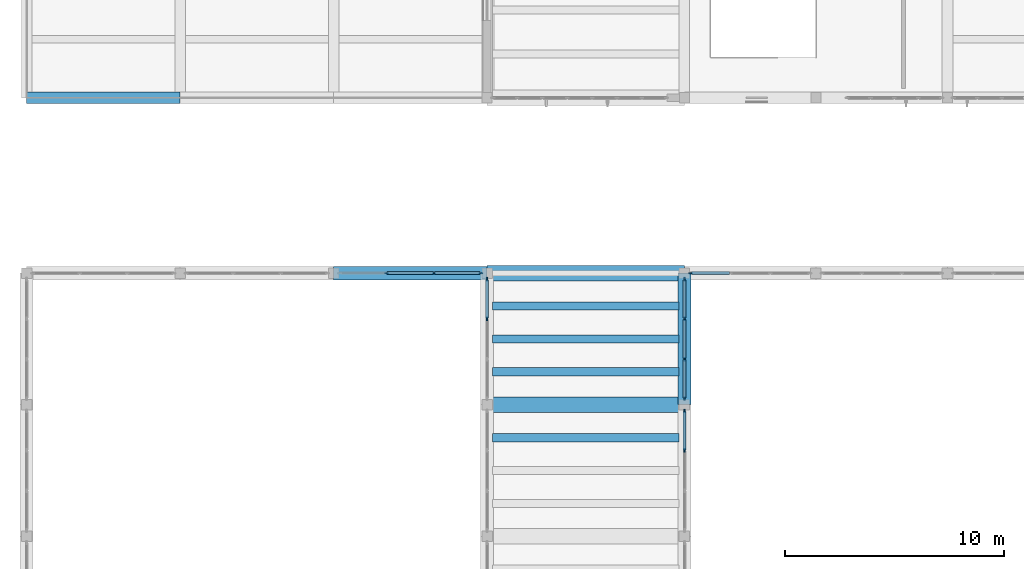
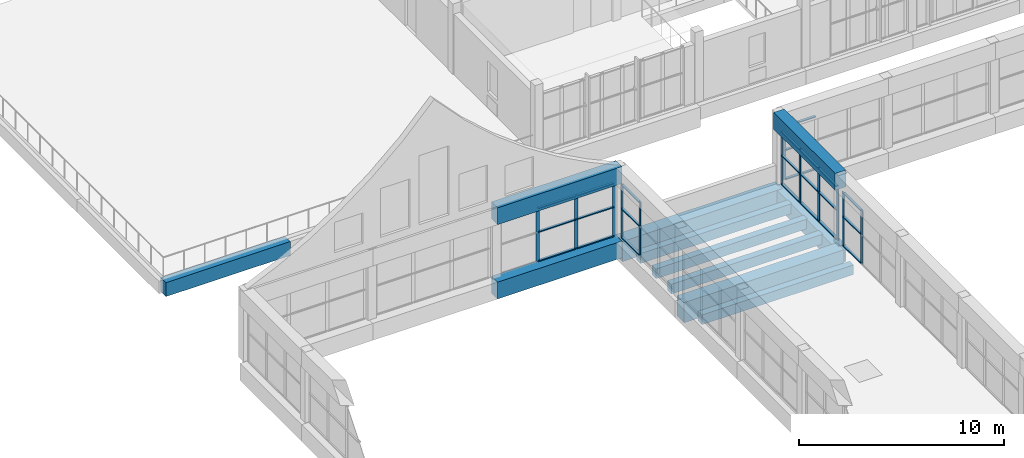
# One storey, part 23 of 70: 36 members, 11 beams, 5 elements without a shape of their own.
"""IFC4 building model written with IfcOpenShell, lengths in metres."""

import ifcopenshell
import ifcopenshell.guid

model = None  # the IFC model being written
_history = None  # IfcOwnerHistory: only IFC2X3 demands one
_inside = {}  # id of a spatial element -> (the spatial element, [elements in it])
_under = {}  # id of a project, library or spatial element -> (it, [spatial elements below it])
_declared = {}  # id of a project -> (the project, [libraries it declares])
_typed = {}  # id of a type object -> (the type object, [elements of that type])
_made_of = {}  # id of a material, layer set ... -> (it, [elements and type objects made of it])


def new_model(schema):
    """Start an empty IFC model of exactly this schema.

    Asked for "IFC4X3", IfcOpenShell would pick the latest addendum, in which some entities
    have other attributes; the version numbers below select the first issue.
    IFC2X3 requires an IfcOwnerHistory on every rooted entity: one is made here for all.
    """
    global model, _history
    if schema == "IFC4X3":
        model = ifcopenshell.file(schema_version=(4, 3, 0, 0))
    else:
        model = ifcopenshell.file(schema=schema)
    _inside.clear()
    _under.clear()
    _declared.clear()
    _typed.clear()
    _made_of.clear()
    _history = None
    if model.schema == "IFC2X3":
        org = make("IfcOrganization", Name="unknown")
        user = make(
            "IfcPersonAndOrganization",
            ThePerson=make("IfcPerson", FamilyName="unknown"),
            TheOrganization=org,
        )
        app = make(
            "IfcApplication",
            ApplicationDeveloper=org,
            Version="unknown",
            ApplicationFullName="unknown",
            ApplicationIdentifier="unknown",
        )
        _history = make(
            "IfcOwnerHistory",
            OwningUser=user,
            OwningApplication=app,
            ChangeAction="ADDED",
            CreationDate=0,
        )
    return model


def make(cls, **values):
    """One entity of the class cls with the attributes given. An attribute that is None is left unset."""
    return model.create_entity(
        cls, **{name: value for name, value in values.items() if value is not None}
    )


def rooted(cls, **values):
    """An entity with a GlobalId (a new one), such as an element, a storey or a relation."""
    return make(cls, GlobalId=ifcopenshell.guid.new(), OwnerHistory=_history, **values)


def si_unit(unit_type, name, prefix=None):
    """IfcSIUnit, for example si_unit("LENGTHUNIT", "METRE", prefix="MILLI")."""
    return make("IfcSIUnit", UnitType=unit_type, Prefix=prefix, Name=name)


def assignment(units):
    """IfcUnitAssignment: the units of a project."""
    return None if units is None else make("IfcUnitAssignment", Units=units)


def point(xyz):
    """IfcCartesianPoint."""
    return None if xyz is None else make("IfcCartesianPoint", Coordinates=xyz)


def direction(xyz):
    """IfcDirection."""
    return None if xyz is None else make("IfcDirection", DirectionRatios=xyz)


def frame(location, z_axis=None, x_axis=None):
    """IfcAxis2Placement3D, a coordinate frame: its origin and axes. An axis left out is left unset."""
    return make(
        "IfcAxis2Placement3D",
        Location=point(location),
        Axis=direction(z_axis),
        RefDirection=direction(x_axis),
    )


def frame_2d(location, x_axis=None):
    """IfcAxis2Placement2D, a coordinate frame in the plane: its origin and x axis."""
    return make(
        "IfcAxis2Placement2D", Location=point(location), RefDirection=direction(x_axis)
    )


def origin():
    """The frame at (0, 0, 0) with its axes left unset."""
    return frame((0.0, 0.0, 0.0))


def origin_2d():
    """The frame at (0, 0) in the plane with its x axis left unset."""
    return frame_2d((0.0, 0.0))


def place(relative_to, where):
    """IfcLocalPlacement: puts the frame where relative to a parent placement (None: the world)."""
    return make(
        "IfcLocalPlacement", PlacementRelTo=relative_to, RelativePlacement=where
    )


def context(
    kind, dimensions, precision=None, world=None, true_north=None, identifier=None
):
    """IfcGeometricRepresentationContext, for example the 3D "Model" context."""
    return make(
        "IfcGeometricRepresentationContext",
        ContextIdentifier=identifier,
        ContextType=kind,
        CoordinateSpaceDimension=dimensions,
        Precision=precision,
        WorldCoordinateSystem=world,
        TrueNorth=true_north,
    )


def subcontext(parent, identifier, kind, view, scale=None):
    """IfcGeometricRepresentationSubContext, for example "Body" below "Model"."""
    return make(
        "IfcGeometricRepresentationSubContext",
        ContextIdentifier=identifier,
        ContextType=kind,
        ParentContext=parent,
        TargetScale=scale,
        TargetView=view,
    )


def project(units=None, contexts=None):
    """IfcProject with its units and contexts."""
    return rooted(
        "IfcProject",
        Name="project",
        RepresentationContexts=contexts,
        UnitsInContext=assignment(units),
    )


def spatial(cls, under=None, at=None, **own):
    """A site, building, storey or space (cls), placed at a placement, below another one or the project."""
    s = rooted(cls, ObjectPlacement=at, **own)
    if under is not None:
        _under.setdefault(under.id(), (under, []))[1].append(s)
    return s


def profile(cls, at=None, kind="AREA", **sizes):
    """A parametric profile (cls). Its sizes go by their IFC names, for example OverallWidth=200.0."""
    return make(cls, ProfileType=kind, Position=at, **sizes)


def rectangle(**sizes):
    """IfcRectangleProfileDef."""
    return profile("IfcRectangleProfileDef", **sizes)


def extrude(swept, where, along, depth):
    """IfcExtrudedAreaSolid: the profile swept, set in the frame where, extruded along a direction by depth."""
    return make(
        "IfcExtrudedAreaSolid",
        SweptArea=swept,
        Position=where,
        ExtrudedDirection=direction(along),
        Depth=depth,
    )


def shape(context_of_items, identifier, shape_type, items):
    """IfcShapeRepresentation: the items that make up one representation, for example the "Body"."""
    return make(
        "IfcShapeRepresentation",
        ContextOfItems=context_of_items,
        RepresentationIdentifier=identifier,
        RepresentationType=shape_type,
        Items=items,
    )


def material(Name=None, Category=None):
    """IfcMaterial."""
    return make("IfcMaterial", Name=Name, Category=Category)


def layer(
    of_material, thickness, ventilated=None, Name=None, Category=None, Priority=None
):
    """IfcMaterialLayer: one layer of a wall or slab, of a material (None: an air gap)."""
    return make(
        "IfcMaterialLayer",
        Material=of_material,
        LayerThickness=thickness,
        IsVentilated=ventilated,
        Name=Name,
        Category=Category,
        Priority=Priority,
    )


def layer_set(layers, Name=None):
    """IfcMaterialLayerSet."""
    return make("IfcMaterialLayerSet", MaterialLayers=layers, LayerSetName=Name)


def material_profile(
    of_material, cross_section, Name=None, Category=None, Priority=None
):
    """IfcMaterialProfile: a cross section and its material."""
    return make(
        "IfcMaterialProfile",
        Name=Name,
        Material=of_material,
        Profile=cross_section,
        Priority=Priority,
        Category=Category,
    )


def profile_set(profiles, Name=None, composite=None):
    """IfcMaterialProfileSet."""
    return make(
        "IfcMaterialProfileSet",
        Name=Name,
        MaterialProfiles=profiles,
        CompositeProfile=composite,
    )


def made_of(thing, what):
    """Note that an element or type object is made of a material, layer set ...; save() writes the relation."""
    if what is not None:
        _made_of.setdefault(what.id(), (what, []))[1].append(thing)
    return thing


def type_object(cls, material=None, **own):
    """A type object (cls), such as IfcWallType, which elements share."""
    return made_of(rooted(cls, **own), material)


def element(
    cls,
    number,
    at=None,
    inside=None,
    cuts=None,
    type_object=None,
    material=None,
    context=None,
    identifier="Body",
    shape_type=None,
    held_by="IfcProductDefinitionShape",
    body=None,
    shapes=None,
    **own,
):
    """One element of the class cls, such as IfcWall. Its Tag is "e" and its number.

    at: its placement. inside: the storey or other place that contains it. cuts: it is an
    opening in that element (IfcRelVoidsElement). A single representation is given by context,
    identifier, shape_type and body (its items); several are given by shapes. held_by: the class
    of the entity that holds the representations. save() writes the other relations.
    """
    e = rooted(cls, Tag="e%d" % number, ObjectPlacement=at, **own)
    if body is not None:
        shapes = [shape(context, identifier, shape_type, body)]
    if shapes is not None:
        e.Representation = make(held_by, Representations=shapes)
    if inside is not None:
        _inside.setdefault(inside.id(), (inside, []))[1].append(e)
    if cuts is not None:
        rooted(
            "IfcRelVoidsElement", RelatingBuildingElement=cuts, RelatedOpeningElement=e
        )
    if type_object is not None:
        _typed.setdefault(type_object.id(), (type_object, []))[1].append(e)
    return made_of(e, material)


def aggregate(whole, parts):
    """IfcRelAggregates: a whole, such as a stair, and the parts it consists of."""
    return rooted("IfcRelAggregates", RelatingObject=whole, RelatedObjects=parts)


def save(model, path):
    """Write the relations noted so far, then the file.

    IfcRelAggregates (storeys below a building ...), IfcRelContainedInSpatialStructure (elements
    in a storey), IfcRelDefinesByType, IfcRelAssociatesMaterial and IfcRelDeclares: one each for
    every whole, place, type object, material and project.
    """
    for whole, parts in _under.values():
        aggregate(whole, parts)
    for where, things in _inside.values():
        rooted(
            "IfcRelContainedInSpatialStructure",
            RelatedElements=things,
            RelatingStructure=where,
        )
    for kind, things in _typed.values():
        rooted("IfcRelDefinesByType", RelatedObjects=things, RelatingType=kind)
    for what, things in _made_of.values():
        rooted("IfcRelAssociatesMaterial", RelatedObjects=things, RelatingMaterial=what)
    for by, libraries in _declared.values():
        rooted("IfcRelDeclares", RelatingContext=by, RelatedDefinitions=libraries)
    model.write(path)


model = new_model("IFC4")

# Units and contexts
model_context = context("Model", 3, precision=1e-05, world=origin(), true_north=direction((0.0, 1.0)))
body_context = subcontext(model_context, "Body", "Model", "MODEL_VIEW")
ifc_project = project(units=[si_unit("LENGTHUNIT", "METRE"), si_unit("AREAUNIT", "SQUARE_METRE"), si_unit("VOLUMEUNIT", "CUBIC_METRE"), si_unit("PLANEANGLEUNIT", "RADIAN"), si_unit("MASSUNIT", "GRAM", prefix="KILO")], contexts=[model_context])

# Site, building, storey
site_placement = place(None, origin())
site = spatial("IfcSite", under=ifc_project, at=site_placement, CompositionType="ELEMENT")
building_placement = place(site_placement, origin())
building = spatial("IfcBuilding", under=site, at=building_placement, Name="Solvane Community Centre", CompositionType="ELEMENT")
storey_placement = place(building_placement, frame((0.0, 0.0, 9.60009765625)))
storey = spatial("IfcBuildingStorey", under=building, at=storey_placement, Name="L02", CompositionType="ELEMENT", Elevation=9.60009765625)

# Curtain wall, members
ifc_material_1 = material(Name="Anodised bronze aluminium AW-6063 T6", Category="aluminium")
ifc_layer_1 = layer(ifc_material_1, 0.179931640625)
ifc_layer_set_1 = layer_set([ifc_layer_1], Name="Anodised bronze aluminium AW-6063 T6")
curtain_wall_type_1 = type_object("IfcCurtainWallType", Name="Hall Translucent Upper Curtain Wall [55x32dm]", PredefinedType="NOTDEFINED", material=ifc_layer_set_1)
curtain_wall_1_placement = place(storey_placement, origin())
curtain_wall_1 = element("IfcCurtainWall", 1, at=curtain_wall_1_placement, inside=storey, type_object=curtain_wall_type_1, Name="Curtain Wall CW-L02-360_777-122", PredefinedType="NOTDEFINED")
ifc_material_profile_1 = material_profile(ifc_material_1, rectangle(XDim=0.06005859375, YDim=0.179931640625, at=origin_2d()), Name="CW-M 60x180")
ifc_profile_set_1 = profile_set([ifc_material_profile_1], Name="Anodised bronze aluminium AW-6063 T6")
member_type_1 = type_object("IfcMemberType", Name="Hall Mullion 60x180", PredefinedType="MULLION", material=ifc_profile_set_1)
member_1_placement = place(storey_placement, frame((36.0, 77.715087890625, 0.0), z_axis=(0.0, 0.0, 1.0), x_axis=(1.0, 0.0, 0.0)))
member_1 = element("IfcMember", 2, at=member_1_placement, type_object=member_type_1, Name="CW01-55x32 mullion 1", PredefinedType="MULLION", context=body_context, shape_type="SweptSolid", body=[
    extrude(rectangle(XDim=0.06005859375, YDim=0.179931640625, at=origin_2d()), origin(), (0.0, 0.0, 1.0), 3.184814453125),
])
member_2_placement = place(storey_placement, frame((36.0, 75.9150390625, 0.0), z_axis=(0.0, 0.0, 1.0), x_axis=(1.0, 0.0, 0.0)))
member_2 = element("IfcMember", 3, at=member_2_placement, type_object=member_type_1, Name="CW01-55x32 mullion 2", PredefinedType="MULLION", context=body_context, shape_type="SweptSolid", body=[
    extrude(rectangle(XDim=0.06005859375, YDim=0.179931640625, at=origin_2d()), origin(), (0.0, 0.0, 1.0), 3.184814453125),
])
member_3_placement = place(storey_placement, frame((36.0, 74.0849609375, 0.0), z_axis=(0.0, 0.0, 1.0), x_axis=(1.0, 0.0, 0.0)))
member_3 = element("IfcMember", 4, at=member_3_placement, type_object=member_type_1, Name="CW01-55x32 mullion 3", PredefinedType="MULLION", context=body_context, shape_type="SweptSolid", body=[
    extrude(rectangle(XDim=0.06005859375, YDim=0.179931640625, at=origin_2d()), origin(), (0.0, 0.0, 1.0), 3.184814453125),
])
member_4_placement = place(storey_placement, frame((36.0, 72.284912109375, 0.0), z_axis=(0.0, 0.0, 1.0), x_axis=(1.0, 0.0, 0.0)))
member_4 = element("IfcMember", 5, at=member_4_placement, type_object=member_type_1, Name="CW01-55x32 mullion 4", PredefinedType="MULLION", context=body_context, shape_type="SweptSolid", body=[
    extrude(rectangle(XDim=0.06005859375, YDim=0.179931640625, at=origin_2d()), origin(), (0.0, 0.0, 1.0), 3.184814453125),
])

curtain_wall_2_placement = place(storey_placement, origin())
curtain_wall_2 = element("IfcCurtainWall", 6, at=curtain_wall_2_placement, inside=storey, type_object=curtain_wall_type_1, Name="Curtain Wall CW-L02-360_717-123", PredefinedType="NOTDEFINED")
member_5_placement = place(storey_placement, frame((36.0, 71.715087890625, 0.0), z_axis=(0.0, 0.0, 1.0), x_axis=(1.0, 0.0, 0.0)))
member_5 = element("IfcMember", 7, at=member_5_placement, type_object=member_type_1, Name="CW01-55x32 mullion 1", PredefinedType="MULLION", context=body_context, shape_type="SweptSolid", body=[
    extrude(rectangle(XDim=0.06005859375, YDim=0.179931640625, at=origin_2d()), origin(), (0.0, 0.0, 1.0), 3.184814453125),
])
member_6_placement = place(storey_placement, frame((36.0, 69.9150390625, 0.0), z_axis=(0.0, 0.0, 1.0), x_axis=(1.0, 0.0, 0.0)))
member_6 = element("IfcMember", 8, at=member_6_placement, type_object=member_type_1, Name="CW01-55x32 mullion 2", PredefinedType="MULLION", context=body_context, shape_type="SweptSolid", body=[
    extrude(rectangle(XDim=0.06005859375, YDim=0.179931640625, at=origin_2d()), origin(), (0.0, 0.0, 1.0), 3.184814453125),
])

# Curtain wall, member
curtain_wall_3_placement = place(storey_placement, origin())
curtain_wall_3 = element("IfcCurtainWall", 9, at=curtain_wall_3_placement, inside=storey, type_object=curtain_wall_type_1, Name="Curtain Wall CW-L02-363_780-158", PredefinedType="NOTDEFINED")
member_7_placement = place(storey_placement, frame((36.284912109375, 78.0, 0.0), z_axis=(0.0, 0.0, 1.0), x_axis=(0.0, 1.0, 0.0)))
member_7 = element("IfcMember", 10, at=member_7_placement, type_object=member_type_1, Name="CW01-55x32 mullion 1", PredefinedType="MULLION", context=body_context, shape_type="SweptSolid", body=[
    extrude(rectangle(XDim=0.06005859375, YDim=0.179931640625, at=origin_2d()), origin(), (0.0, 0.0, 1.0), 3.184814453125),
])

# Curtain wall, members
curtain_wall_4_placement = place(storey_placement, origin())
curtain_wall_4 = element("IfcCurtainWall", 11, at=curtain_wall_4_placement, inside=storey, type_object=curtain_wall_type_1, Name="Curtain Wall CW-L02-270_723-177", PredefinedType="NOTDEFINED")
member_8_placement = place(storey_placement, frame((27.0, 75.9150390625, 0.0), z_axis=(0.0, 0.0, 1.0), x_axis=(-1.0, 0.0, 0.0)))
member_8 = element("IfcMember", 12, at=member_8_placement, type_object=member_type_1, Name="CW01-55x32 mullion 3", PredefinedType="MULLION", context=body_context, shape_type="SweptSolid", body=[
    extrude(rectangle(XDim=0.06005859375, YDim=0.179931640625, at=origin_2d()), origin(), (0.0, 0.0, 1.0), 3.184814453125),
])
member_9_placement = place(storey_placement, frame((27.0, 77.715087890625, 0.0), z_axis=(0.0, 0.0, 1.0), x_axis=(-1.0, 0.0, 0.0)))
member_9 = element("IfcMember", 13, at=member_9_placement, type_object=member_type_1, Name="CW01-55x32 mullion 4", PredefinedType="MULLION", context=body_context, shape_type="SweptSolid", body=[
    extrude(rectangle(XDim=0.06005859375, YDim=0.179931640625, at=origin_2d()), origin(), (0.0, 0.0, 1.0), 3.184814453125),
])

ifc_layer_2 = layer(ifc_material_1, 0.179931640625)
ifc_layer_set_2 = layer_set([ifc_layer_2], Name="Anodised bronze aluminium AW-6063 T6")
curtain_wall_type_2 = type_object("IfcCurtainWallType", Name="Hall Translucent Upper Curtain Wall [65x32dm]", PredefinedType="NOTDEFINED", material=ifc_layer_set_2)
curtain_wall_5_placement = place(storey_placement, origin())
curtain_wall_5 = element("IfcCurtainWall", 14, at=curtain_wall_5_placement, inside=storey, type_object=curtain_wall_type_2, Name="Curtain Wall CW-L02-203_780-183", PredefinedType="NOTDEFINED")
member_10_placement = place(storey_placement, frame((22.418212890625, 78.0, 0.0), z_axis=(0.0, 0.0, 1.0), x_axis=(0.0, 1.0, 0.0)))
member_10 = element("IfcMember", 15, at=member_10_placement, type_object=member_type_1, Name="CW01-65x32 mullion 2", PredefinedType="MULLION", context=body_context, shape_type="SweptSolid", body=[
    extrude(rectangle(XDim=0.06005859375, YDim=0.179931640625, at=origin_2d()), origin(), (0.0, 0.0, 1.0), 3.184814453125),
])
member_11_placement = place(storey_placement, frame((24.581787109375, 78.0, 0.0), z_axis=(0.0, 0.0, 1.0), x_axis=(0.0, 1.0, 0.0)))
member_11 = element("IfcMember", 16, at=member_11_placement, type_object=member_type_1, Name="CW01-65x32 mullion 3", PredefinedType="MULLION", context=body_context, shape_type="SweptSolid", body=[
    extrude(rectangle(XDim=0.06005859375, YDim=0.179931640625, at=origin_2d()), origin(), (0.0, 0.0, 1.0), 3.184814453125),
])
member_12_placement = place(storey_placement, frame((26.715087890625, 78.0, 0.0), z_axis=(0.0, 0.0, 1.0), x_axis=(0.0, 1.0, 0.0)))
member_12 = element("IfcMember", 17, at=member_12_placement, type_object=member_type_1, Name="CW01-65x32 mullion 4", PredefinedType="MULLION", context=body_context, shape_type="SweptSolid", body=[
    extrude(rectangle(XDim=0.06005859375, YDim=0.179931640625, at=origin_2d()), origin(), (0.0, 0.0, 1.0), 3.184814453125),
])

# Member
ifc_material_profile_2 = material_profile(ifc_material_1, rectangle(XDim=0.139892578125, YDim=0.06005859375, at=origin_2d()), Name="CW-T 60x140")
ifc_profile_set_2 = profile_set([ifc_material_profile_2], Name="Anodised bronze aluminium AW-6063 T6")
member_type_2 = type_object("IfcMemberType", Name="Hall Transom 60x140", PredefinedType="USERDEFINED", material=ifc_profile_set_2)
member_13_placement = place(storey_placement, frame((36.0, 77.68505859375, 0.02978515625), z_axis=(0.0, -1.0, 0.0), x_axis=(1.0, 0.0, 0.0)))
member_13 = element("IfcMember", 18, at=member_13_placement, type_object=member_type_2, Name="CW01-55x32 transom 1.1", ObjectType="TRANSOM", PredefinedType="USERDEFINED", context=body_context, shape_type="SweptSolid", body=[
    extrude(rectangle(XDim=0.139892578125, YDim=0.06005859375, at=origin_2d()), origin(), (0.0, 0.0, 1.0), 1.739990234375),
])

member_14_placement = place(storey_placement, frame((36.0, 77.68505859375, 1.751953125), z_axis=(0.0, -1.0, 0.0), x_axis=(1.0, 0.0, 0.0)))
member_14 = element("IfcMember", 19, at=member_14_placement, type_object=member_type_2, Name="CW01-55x32 transom 1.2", ObjectType="TRANSOM", PredefinedType="USERDEFINED", context=body_context, shape_type="SweptSolid", body=[
    extrude(rectangle(XDim=0.139892578125, YDim=0.06005859375, at=origin_2d()), origin(), (0.0, 0.0, 1.0), 1.739990234375),
])

member_15_placement = place(storey_placement, frame((36.0, 77.68505859375, 3.15478515625), z_axis=(0.0, -1.0, 0.0), x_axis=(1.0, 0.0, 0.0)))
member_15 = element("IfcMember", 20, at=member_15_placement, type_object=member_type_2, Name="CW01-55x32 transom 1.3", ObjectType="TRANSOM", PredefinedType="USERDEFINED", context=body_context, shape_type="SweptSolid", body=[
    extrude(rectangle(XDim=0.139892578125, YDim=0.06005859375, at=origin_2d()), origin(), (0.0, 0.0, 1.0), 1.739990234375),
])

member_16_placement = place(storey_placement, frame((36.0, 75.885009765625, 0.02978515625), z_axis=(0.0, -1.0, 0.0), x_axis=(1.0, 0.0, 0.0)))
member_16 = element("IfcMember", 21, at=member_16_placement, type_object=member_type_2, Name="CW01-55x32 transom 2.1", ObjectType="TRANSOM", PredefinedType="USERDEFINED", context=body_context, shape_type="SweptSolid", body=[
    extrude(rectangle(XDim=0.139892578125, YDim=0.06005859375, at=origin_2d()), origin(), (0.0, 0.0, 1.0), 1.77001953125),
])

member_17_placement = place(storey_placement, frame((36.0, 75.885009765625, 1.751953125), z_axis=(0.0, -1.0, 0.0), x_axis=(1.0, 0.0, 0.0)))
member_17 = element("IfcMember", 22, at=member_17_placement, type_object=member_type_2, Name="CW01-55x32 transom 2.2", ObjectType="TRANSOM", PredefinedType="USERDEFINED", context=body_context, shape_type="SweptSolid", body=[
    extrude(rectangle(XDim=0.139892578125, YDim=0.06005859375, at=origin_2d()), origin(), (0.0, 0.0, 1.0), 1.77001953125),
])

member_18_placement = place(storey_placement, frame((36.0, 75.885009765625, 3.15478515625), z_axis=(0.0, -1.0, 0.0), x_axis=(1.0, 0.0, 0.0)))
member_18 = element("IfcMember", 23, at=member_18_placement, type_object=member_type_2, Name="CW01-55x32 transom 2.3", ObjectType="TRANSOM", PredefinedType="USERDEFINED", context=body_context, shape_type="SweptSolid", body=[
    extrude(rectangle(XDim=0.139892578125, YDim=0.06005859375, at=origin_2d()), origin(), (0.0, 0.0, 1.0), 1.77001953125),
])

member_19_placement = place(storey_placement, frame((36.0, 74.054931640625, 0.02978515625), z_axis=(0.0, -1.0, 0.0), x_axis=(1.0, 0.0, 0.0)))
member_19 = element("IfcMember", 24, at=member_19_placement, type_object=member_type_2, Name="CW01-55x32 transom 3.1", ObjectType="TRANSOM", PredefinedType="USERDEFINED", context=body_context, shape_type="SweptSolid", body=[
    extrude(rectangle(XDim=0.139892578125, YDim=0.06005859375, at=origin_2d()), origin(), (0.0, 0.0, 1.0), 1.739990234375),
])

member_20_placement = place(storey_placement, frame((36.0, 74.054931640625, 1.751953125), z_axis=(0.0, -1.0, 0.0), x_axis=(1.0, 0.0, 0.0)))
member_20 = element("IfcMember", 25, at=member_20_placement, type_object=member_type_2, Name="CW01-55x32 transom 3.2", ObjectType="TRANSOM", PredefinedType="USERDEFINED", context=body_context, shape_type="SweptSolid", body=[
    extrude(rectangle(XDim=0.139892578125, YDim=0.06005859375, at=origin_2d()), origin(), (0.0, 0.0, 1.0), 1.739990234375),
])

member_21_placement = place(storey_placement, frame((36.0, 74.054931640625, 3.15478515625), z_axis=(0.0, -1.0, 0.0), x_axis=(1.0, 0.0, 0.0)))
member_21 = element("IfcMember", 26, at=member_21_placement, type_object=member_type_2, Name="CW01-55x32 transom 3.3", ObjectType="TRANSOM", PredefinedType="USERDEFINED", context=body_context, shape_type="SweptSolid", body=[
    extrude(rectangle(XDim=0.139892578125, YDim=0.06005859375, at=origin_2d()), origin(), (0.0, 0.0, 1.0), 1.739990234375),
])

aggregate(curtain_wall_1, [member_1, member_2, member_3, member_4, member_13, member_14, member_15, member_16, member_17, member_18, member_19, member_20, member_21])

member_22_placement = place(storey_placement, frame((36.0, 71.68505859375, 0.02978515625), z_axis=(0.0, -1.0, 0.0), x_axis=(1.0, 0.0, 0.0)))
member_22 = element("IfcMember", 27, at=member_22_placement, type_object=member_type_2, Name="CW01-55x32 transom 1.1", ObjectType="TRANSOM", PredefinedType="USERDEFINED", context=body_context, shape_type="SweptSolid", body=[
    extrude(rectangle(XDim=0.139892578125, YDim=0.06005859375, at=origin_2d()), origin(), (0.0, 0.0, 1.0), 1.739990234375),
])

member_23_placement = place(storey_placement, frame((36.0, 71.68505859375, 1.751953125), z_axis=(0.0, -1.0, 0.0), x_axis=(1.0, 0.0, 0.0)))
member_23 = element("IfcMember", 28, at=member_23_placement, type_object=member_type_2, Name="CW01-55x32 transom 1.2", ObjectType="TRANSOM", PredefinedType="USERDEFINED", context=body_context, shape_type="SweptSolid", body=[
    extrude(rectangle(XDim=0.139892578125, YDim=0.06005859375, at=origin_2d()), origin(), (0.0, 0.0, 1.0), 1.739990234375),
])

member_24_placement = place(storey_placement, frame((36.0, 71.68505859375, 3.15478515625), z_axis=(0.0, -1.0, 0.0), x_axis=(1.0, 0.0, 0.0)))
member_24 = element("IfcMember", 29, at=member_24_placement, type_object=member_type_2, Name="CW01-55x32 transom 1.3", ObjectType="TRANSOM", PredefinedType="USERDEFINED", context=body_context, shape_type="SweptSolid", body=[
    extrude(rectangle(XDim=0.139892578125, YDim=0.06005859375, at=origin_2d()), origin(), (0.0, 0.0, 1.0), 1.739990234375),
])

aggregate(curtain_wall_2, [member_5, member_6, member_22, member_23, member_24])

member_25_placement = place(storey_placement, frame((36.31494140625, 78.0, 0.02978515625), z_axis=(1.0, 0.0, 0.0), x_axis=(0.0, 1.0, 0.0)))
member_25 = element("IfcMember", 30, at=member_25_placement, type_object=member_type_2, Name="CW01-55x32 transom 1.1", ObjectType="TRANSOM", PredefinedType="USERDEFINED", context=body_context, shape_type="SweptSolid", body=[
    extrude(rectangle(XDim=0.139892578125, YDim=0.06005859375, at=origin_2d()), origin(), (0.0, 0.0, 1.0), 1.739990234375),
])

member_26_placement = place(storey_placement, frame((36.31494140625, 78.0, 1.751953125), z_axis=(1.0, 0.0, 0.0), x_axis=(0.0, 1.0, 0.0)))
member_26 = element("IfcMember", 31, at=member_26_placement, type_object=member_type_2, Name="CW01-55x32 transom 1.2", ObjectType="TRANSOM", PredefinedType="USERDEFINED", context=body_context, shape_type="SweptSolid", body=[
    extrude(rectangle(XDim=0.139892578125, YDim=0.06005859375, at=origin_2d()), origin(), (0.0, 0.0, 1.0), 1.739990234375),
])

member_27_placement = place(storey_placement, frame((36.31494140625, 78.0, 3.15478515625), z_axis=(1.0, 0.0, 0.0), x_axis=(0.0, 1.0, 0.0)))
member_27 = element("IfcMember", 32, at=member_27_placement, type_object=member_type_2, Name="CW01-55x32 transom 1.3", ObjectType="TRANSOM", PredefinedType="USERDEFINED", context=body_context, shape_type="SweptSolid", body=[
    extrude(rectangle(XDim=0.139892578125, YDim=0.06005859375, at=origin_2d()), origin(), (0.0, 0.0, 1.0), 1.739990234375),
])

aggregate(curtain_wall_3, [member_7, member_25, member_26, member_27])

member_28_placement = place(storey_placement, frame((27.0, 75.945068359375, 0.02978515625), z_axis=(0.0, 1.0, 0.0), x_axis=(-1.0, 0.0, 0.0)))
member_28 = element("IfcMember", 33, at=member_28_placement, type_object=member_type_2, Name="CW01-55x32 transom 3.1", ObjectType="TRANSOM", PredefinedType="USERDEFINED", context=body_context, shape_type="SweptSolid", body=[
    extrude(rectangle(XDim=0.139892578125, YDim=0.06005859375, at=origin_2d()), origin(), (0.0, 0.0, 1.0), 1.739990234375),
])

member_29_placement = place(storey_placement, frame((27.0, 75.945068359375, 1.751953125), z_axis=(0.0, 1.0, 0.0), x_axis=(-1.0, 0.0, 0.0)))
member_29 = element("IfcMember", 34, at=member_29_placement, type_object=member_type_2, Name="CW01-55x32 transom 3.2", ObjectType="TRANSOM", PredefinedType="USERDEFINED", context=body_context, shape_type="SweptSolid", body=[
    extrude(rectangle(XDim=0.139892578125, YDim=0.06005859375, at=origin_2d()), origin(), (0.0, 0.0, 1.0), 1.739990234375),
])

member_30_placement = place(storey_placement, frame((27.0, 75.945068359375, 3.15478515625), z_axis=(0.0, 1.0, 0.0), x_axis=(-1.0, 0.0, 0.0)))
member_30 = element("IfcMember", 35, at=member_30_placement, type_object=member_type_2, Name="CW01-55x32 transom 3.3", ObjectType="TRANSOM", PredefinedType="USERDEFINED", context=body_context, shape_type="SweptSolid", body=[
    extrude(rectangle(XDim=0.139892578125, YDim=0.06005859375, at=origin_2d()), origin(), (0.0, 0.0, 1.0), 1.739990234375),
])

aggregate(curtain_wall_4, [member_8, member_9, member_28, member_29, member_30])

member_31_placement = place(storey_placement, frame((22.4482421875, 78.0, 0.02978515625), z_axis=(1.0, 0.0, 0.0), x_axis=(0.0, 1.0, 0.0)))
member_31 = element("IfcMember", 36, at=member_31_placement, type_object=member_type_2, Name="CW01-65x32 transom 2.1", ObjectType="TRANSOM", PredefinedType="USERDEFINED", context=body_context, shape_type="SweptSolid", body=[
    extrude(rectangle(XDim=0.139892578125, YDim=0.06005859375, at=origin_2d()), origin(), (0.0, 0.0, 1.0), 2.103515625),
])

member_32_placement = place(storey_placement, frame((22.4482421875, 78.0, 1.751953125), z_axis=(1.0, 0.0, 0.0), x_axis=(0.0, 1.0, 0.0)))
member_32 = element("IfcMember", 37, at=member_32_placement, type_object=member_type_2, Name="CW01-65x32 transom 2.2", ObjectType="TRANSOM", PredefinedType="USERDEFINED", context=body_context, shape_type="SweptSolid", body=[
    extrude(rectangle(XDim=0.139892578125, YDim=0.06005859375, at=origin_2d()), origin(), (0.0, 0.0, 1.0), 2.103515625),
])

member_33_placement = place(storey_placement, frame((22.4482421875, 78.0, 3.15478515625), z_axis=(1.0, 0.0, 0.0), x_axis=(0.0, 1.0, 0.0)))
member_33 = element("IfcMember", 38, at=member_33_placement, type_object=member_type_2, Name="CW01-65x32 transom 2.3", ObjectType="TRANSOM", PredefinedType="USERDEFINED", context=body_context, shape_type="SweptSolid", body=[
    extrude(rectangle(XDim=0.139892578125, YDim=0.06005859375, at=origin_2d()), origin(), (0.0, 0.0, 1.0), 2.103515625),
])

member_34_placement = place(storey_placement, frame((24.611572265625, 78.0, 0.02978515625), z_axis=(1.0, 0.0, 0.0), x_axis=(0.0, 1.0, 0.0)))
member_34 = element("IfcMember", 39, at=member_34_placement, type_object=member_type_2, Name="CW01-65x32 transom 3.1", ObjectType="TRANSOM", PredefinedType="USERDEFINED", context=body_context, shape_type="SweptSolid", body=[
    extrude(rectangle(XDim=0.139892578125, YDim=0.06005859375, at=origin_2d()), origin(), (0.0, 0.0, 1.0), 2.073486328125),
])

member_35_placement = place(storey_placement, frame((24.611572265625, 78.0, 1.751953125), z_axis=(1.0, 0.0, 0.0), x_axis=(0.0, 1.0, 0.0)))
member_35 = element("IfcMember", 40, at=member_35_placement, type_object=member_type_2, Name="CW01-65x32 transom 3.2", ObjectType="TRANSOM", PredefinedType="USERDEFINED", context=body_context, shape_type="SweptSolid", body=[
    extrude(rectangle(XDim=0.139892578125, YDim=0.06005859375, at=origin_2d()), origin(), (0.0, 0.0, 1.0), 2.073486328125),
])

member_36_placement = place(storey_placement, frame((24.611572265625, 78.0, 3.15478515625), z_axis=(1.0, 0.0, 0.0), x_axis=(0.0, 1.0, 0.0)))
member_36 = element("IfcMember", 41, at=member_36_placement, type_object=member_type_2, Name="CW01-65x32 transom 3.3", ObjectType="TRANSOM", PredefinedType="USERDEFINED", context=body_context, shape_type="SweptSolid", body=[
    extrude(rectangle(XDim=0.139892578125, YDim=0.06005859375, at=origin_2d()), origin(), (0.0, 0.0, 1.0), 2.073486328125),
])

aggregate(curtain_wall_5, [member_10, member_11, member_12, member_31, member_32, member_33, member_34, member_35, member_36])

# Beams
ifc_material_2 = material(Name="Concrete C35/45", Category="concrete")
ifc_material_profile_3 = material_profile(ifc_material_2, rectangle(XDim=0.52001953125, YDim=0.830078125, at=origin_2d()), Name="RC 520x830")
ifc_profile_set_3 = profile_set([ifc_material_profile_3], Name="Concrete C35/45")
beam_type_1 = type_object("IfcBeamType", Name="RC Medium Girder 520x830", PredefinedType="USERDEFINED", material=ifc_profile_set_3)
beam_1_placement = place(storey_placement, frame((6.0, 86.0, -0.635009765625), z_axis=(1.0, 0.0, 0.0), x_axis=(0.0, 1.0, 0.0)))
element("IfcBeam", 42, at=beam_1_placement, inside=storey, type_object=beam_type_1, Name="Beam BM-L02-60_860-130_860", ObjectType="GIRDER", PredefinedType="USERDEFINED", context=body_context, shape_type="SweptSolid", body=[
    extrude(rectangle(XDim=0.52001953125, YDim=0.830078125, at=origin_2d()), origin(), (0.0, 0.0, 1.0), 7.0),
])
ifc_material_profile_4 = material_profile(ifc_material_2, rectangle(XDim=0.3798828125, YDim=0.580078125, at=origin_2d()), Name="RC 380x580")
ifc_profile_set_4 = profile_set([ifc_material_profile_4], Name="Concrete C35/45")
beam_type_2 = type_object("IfcBeamType", Name="RC Short Joist 380x580", PredefinedType="JOIST", material=ifc_profile_set_4)
for number, where, z_axis, x_axis, name in (
    (43, (27.239990234375, 70.5, -0.510009765625), (1.0, 0.0, 0.0), (0.0, 1.0, 0.0), "Beam BM-L02-272_705-358_705"),
    (44, (27.239990234375, 73.5, -0.510009765625), (1.0, 0.0, 0.0), (0.0, 1.0, 0.0), "Beam BM-L02-272_735-358_735"),
    (45, (27.239990234375, 75.0, -0.510009765625), (1.0, 0.0, 0.0), (0.0, 1.0, 0.0), "Beam BM-L02-272_750-358_750"),
    (46, (27.239990234375, 76.5, -0.510009765625), (1.0, 0.0, 0.0), (0.0, 1.0, 0.0), "Beam BM-L02-272_765-358_765"),
):
    element("IfcBeam", number, at=place(storey_placement, frame(where, z_axis=z_axis, x_axis=x_axis)), inside=storey, type_object=beam_type_2, Name=name, PredefinedType="JOIST", context=body_context, shape_type="SweptSolid", body=[
        extrude(rectangle(XDim=0.3798828125, YDim=0.580078125, at=origin_2d()), origin(), (0.0, 0.0, 1.0), 8.52001953125),
    ])
ifc_material_profile_5 = material_profile(ifc_material_2, rectangle(XDim=0.699951171875, YDim=1.199951171875, at=origin_2d()), Name="RC 700x1200")
ifc_profile_set_5 = profile_set([ifc_material_profile_5], Name="Concrete C35/45")
beam_type_3 = type_object("IfcBeamType", Name="RC Transfer Girder 700x1200", PredefinedType="USERDEFINED", material=ifc_profile_set_5)
for number, where, z_axis, x_axis, name in (
    (47, (27.0, 72.0, -0.820068359375), (1.0, 0.0, 0.0), (0.0, 1.0, 0.0), "Beam BM-L02-270_720-360_720"),
    (48, (27.0, 78.0, -0.820068359375), (1.0, 0.0, 0.0), (0.0, 1.0, 0.0), "Beam BM-L02-270_780-360_780"),
):
    element("IfcBeam", number, at=place(storey_placement, frame(where, z_axis=z_axis, x_axis=x_axis)), inside=storey, type_object=beam_type_3, Name=name, ObjectType="GIRDER", PredefinedType="USERDEFINED", context=body_context, shape_type="SweptSolid", body=[
        extrude(rectangle(XDim=0.699951171875, YDim=1.199951171875, at=origin_2d()), origin(), (0.0, 0.0, 1.0), 9.0),
    ])
ifc_material_profile_6 = material_profile(ifc_material_2, rectangle(XDim=0.60009765625, YDim=1.0, at=origin_2d()), Name="RC 600x1000")
ifc_profile_set_6 = profile_set([ifc_material_profile_6], Name="Concrete C35/45")
beam_type_4 = type_object("IfcBeamType", Name="RC Vault Thrust Ring Girder 600x1000", PredefinedType="USERDEFINED", material=ifc_profile_set_6)
beam_2_placement = place(storey_placement, frame((20.0, 78.0, -0.72021484375), z_axis=(1.0, 0.0, 0.0), x_axis=(0.0, 1.0, 0.0)))
element("IfcBeam", 49, at=beam_2_placement, inside=storey, type_object=beam_type_4, Name="Beam BM-L02-200_780-270_780", ObjectType="GIRDER", PredefinedType="USERDEFINED", context=body_context, shape_type="SweptSolid", body=[
    extrude(rectangle(XDim=0.60009765625, YDim=1.0, at=origin_2d()), origin(), (0.0, 0.0, 1.0), 7.0),
])
for number, where, z_axis, x_axis, name in (
    (50, (36.0, 72.0, -0.72021484375), (0.0, 1.0, 0.0), (-1.0, 0.0, 0.0), "Beam BM-L02-360_720-360_780"),
    (51, (36.0, 72.0, 3.699951171875), (0.0, 1.0, 0.0), (-1.0, 0.0, 0.0), "Beam BM-L02-360_720-360_780-1455"),
):
    element("IfcBeam", number, at=place(storey_placement, frame(where, z_axis=z_axis, x_axis=x_axis)), inside=storey, type_object=beam_type_4, Name=name, ObjectType="GIRDER", PredefinedType="USERDEFINED", context=body_context, shape_type="SweptSolid", body=[
        extrude(rectangle(XDim=0.60009765625, YDim=1.0, at=origin_2d()), origin(), (0.0, 0.0, 1.0), 6.0),
    ])
beam_3_placement = place(storey_placement, frame((20.0, 78.0, 3.699951171875), z_axis=(1.0, 0.0, 0.0), x_axis=(0.0, 1.0, 0.0)))
element("IfcBeam", 52, at=beam_3_placement, inside=storey, type_object=beam_type_4, Name="Beam BM-L02-200_780-270_780-1504", ObjectType="GIRDER", PredefinedType="USERDEFINED", context=body_context, shape_type="SweptSolid", body=[
    extrude(rectangle(XDim=0.60009765625, YDim=1.0, at=origin_2d()), origin(), (0.0, 0.0, 1.0), 7.0),
])

save(model, "model.ifc")
